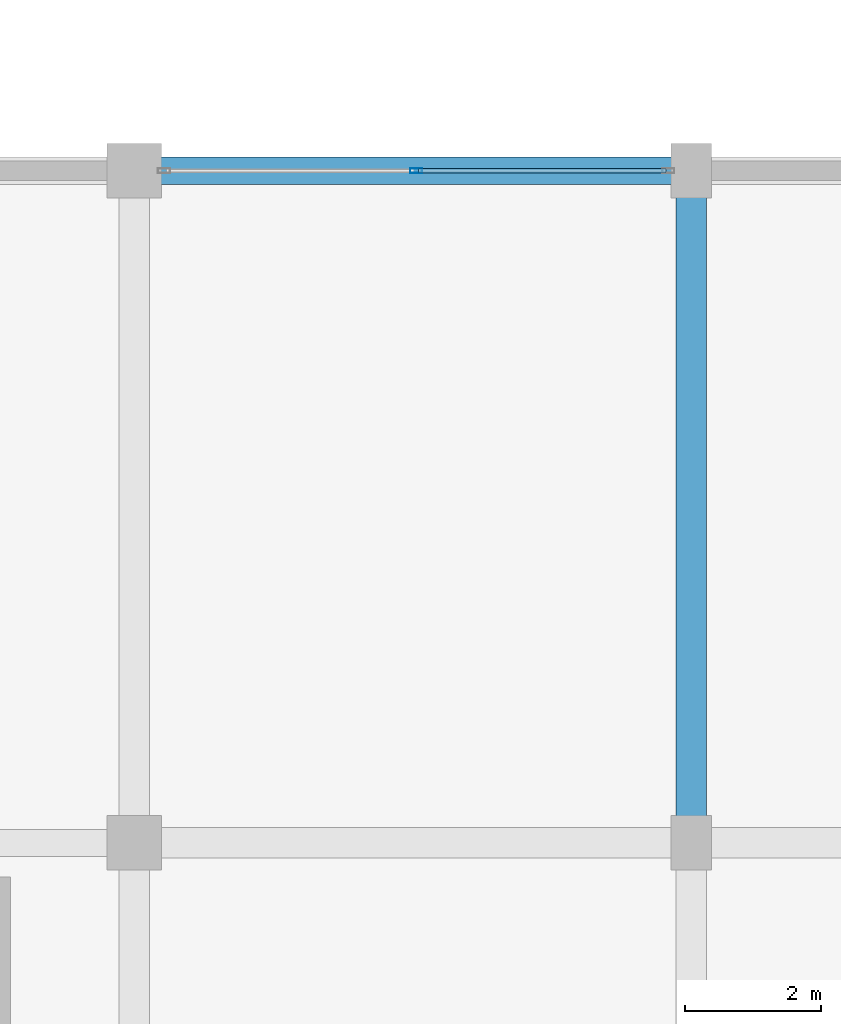
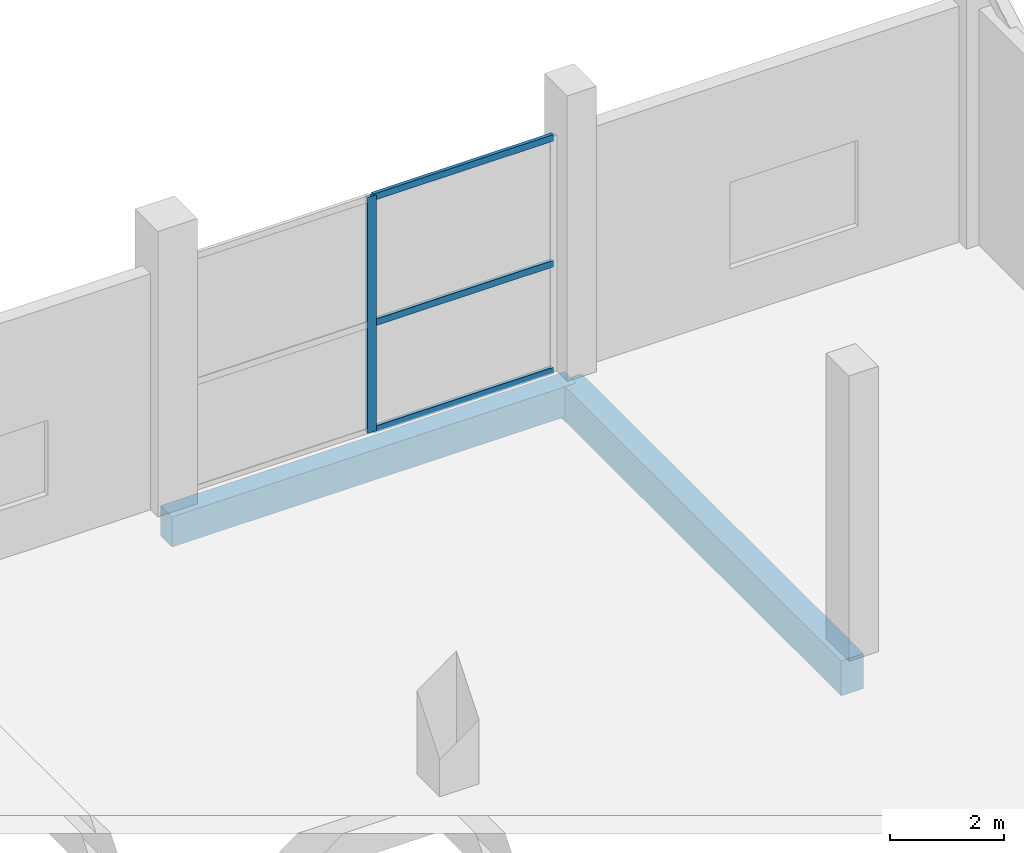
# One storey, part 33 of 58: 4 members, 2 beams, 1 element without a shape of its own.
"""IFC4 building model written with IfcOpenShell, lengths in metres."""

import ifcopenshell
import ifcopenshell.guid

model = None  # the IFC model being written
_history = None  # IfcOwnerHistory: only IFC2X3 demands one
_inside = {}  # id of a spatial element -> (the spatial element, [elements in it])
_under = {}  # id of a project, library or spatial element -> (it, [spatial elements below it])
_declared = {}  # id of a project -> (the project, [libraries it declares])
_typed = {}  # id of a type object -> (the type object, [elements of that type])
_made_of = {}  # id of a material, layer set ... -> (it, [elements and type objects made of it])


def new_model(schema):
    """Start an empty IFC model of exactly this schema.

    Asked for "IFC4X3", IfcOpenShell would pick the latest addendum, in which some entities
    have other attributes; the version numbers below select the first issue.
    IFC2X3 requires an IfcOwnerHistory on every rooted entity: one is made here for all.
    """
    global model, _history
    if schema == "IFC4X3":
        model = ifcopenshell.file(schema_version=(4, 3, 0, 0))
    else:
        model = ifcopenshell.file(schema=schema)
    _inside.clear()
    _under.clear()
    _declared.clear()
    _typed.clear()
    _made_of.clear()
    _history = None
    if model.schema == "IFC2X3":
        org = make("IfcOrganization", Name="unknown")
        user = make(
            "IfcPersonAndOrganization",
            ThePerson=make("IfcPerson", FamilyName="unknown"),
            TheOrganization=org,
        )
        app = make(
            "IfcApplication",
            ApplicationDeveloper=org,
            Version="unknown",
            ApplicationFullName="unknown",
            ApplicationIdentifier="unknown",
        )
        _history = make(
            "IfcOwnerHistory",
            OwningUser=user,
            OwningApplication=app,
            ChangeAction="ADDED",
            CreationDate=0,
        )
    return model


def make(cls, **values):
    """One entity of the class cls with the attributes given. An attribute that is None is left unset."""
    return model.create_entity(
        cls, **{name: value for name, value in values.items() if value is not None}
    )


def rooted(cls, **values):
    """An entity with a GlobalId (a new one), such as an element, a storey or a relation."""
    return make(cls, GlobalId=ifcopenshell.guid.new(), OwnerHistory=_history, **values)


def si_unit(unit_type, name, prefix=None):
    """IfcSIUnit, for example si_unit("LENGTHUNIT", "METRE", prefix="MILLI")."""
    return make("IfcSIUnit", UnitType=unit_type, Prefix=prefix, Name=name)


def assignment(units):
    """IfcUnitAssignment: the units of a project."""
    return None if units is None else make("IfcUnitAssignment", Units=units)


def point(xyz):
    """IfcCartesianPoint."""
    return None if xyz is None else make("IfcCartesianPoint", Coordinates=xyz)


def direction(xyz):
    """IfcDirection."""
    return None if xyz is None else make("IfcDirection", DirectionRatios=xyz)


def frame(location, z_axis=None, x_axis=None):
    """IfcAxis2Placement3D, a coordinate frame: its origin and axes. An axis left out is left unset."""
    return make(
        "IfcAxis2Placement3D",
        Location=point(location),
        Axis=direction(z_axis),
        RefDirection=direction(x_axis),
    )


def frame_2d(location, x_axis=None):
    """IfcAxis2Placement2D, a coordinate frame in the plane: its origin and x axis."""
    return make(
        "IfcAxis2Placement2D", Location=point(location), RefDirection=direction(x_axis)
    )


def origin():
    """The frame at (0, 0, 0) with its axes left unset."""
    return frame((0.0, 0.0, 0.0))


def origin_2d():
    """The frame at (0, 0) in the plane with its x axis left unset."""
    return frame_2d((0.0, 0.0))


def place(relative_to, where):
    """IfcLocalPlacement: puts the frame where relative to a parent placement (None: the world)."""
    return make(
        "IfcLocalPlacement", PlacementRelTo=relative_to, RelativePlacement=where
    )


def context(
    kind, dimensions, precision=None, world=None, true_north=None, identifier=None
):
    """IfcGeometricRepresentationContext, for example the 3D "Model" context."""
    return make(
        "IfcGeometricRepresentationContext",
        ContextIdentifier=identifier,
        ContextType=kind,
        CoordinateSpaceDimension=dimensions,
        Precision=precision,
        WorldCoordinateSystem=world,
        TrueNorth=true_north,
    )


def subcontext(parent, identifier, kind, view, scale=None):
    """IfcGeometricRepresentationSubContext, for example "Body" below "Model"."""
    return make(
        "IfcGeometricRepresentationSubContext",
        ContextIdentifier=identifier,
        ContextType=kind,
        ParentContext=parent,
        TargetScale=scale,
        TargetView=view,
    )


def project(units=None, contexts=None):
    """IfcProject with its units and contexts."""
    return rooted(
        "IfcProject",
        Name="project",
        RepresentationContexts=contexts,
        UnitsInContext=assignment(units),
    )


def spatial(cls, under=None, at=None, **own):
    """A site, building, storey or space (cls), placed at a placement, below another one or the project."""
    s = rooted(cls, ObjectPlacement=at, **own)
    if under is not None:
        _under.setdefault(under.id(), (under, []))[1].append(s)
    return s


def profile(cls, at=None, kind="AREA", **sizes):
    """A parametric profile (cls). Its sizes go by their IFC names, for example OverallWidth=200.0."""
    return make(cls, ProfileType=kind, Position=at, **sizes)


def rectangle(**sizes):
    """IfcRectangleProfileDef."""
    return profile("IfcRectangleProfileDef", **sizes)


def hollow_rectangle(**sizes):
    """IfcRectangleHollowProfileDef."""
    return profile("IfcRectangleHollowProfileDef", **sizes)


def extrude(swept, where, along, depth):
    """IfcExtrudedAreaSolid: the profile swept, set in the frame where, extruded along a direction by depth."""
    return make(
        "IfcExtrudedAreaSolid",
        SweptArea=swept,
        Position=where,
        ExtrudedDirection=direction(along),
        Depth=depth,
    )


def shape(context_of_items, identifier, shape_type, items):
    """IfcShapeRepresentation: the items that make up one representation, for example the "Body"."""
    return make(
        "IfcShapeRepresentation",
        ContextOfItems=context_of_items,
        RepresentationIdentifier=identifier,
        RepresentationType=shape_type,
        Items=items,
    )


def material(Name=None, Category=None):
    """IfcMaterial."""
    return make("IfcMaterial", Name=Name, Category=Category)


def layer(
    of_material, thickness, ventilated=None, Name=None, Category=None, Priority=None
):
    """IfcMaterialLayer: one layer of a wall or slab, of a material (None: an air gap)."""
    return make(
        "IfcMaterialLayer",
        Material=of_material,
        LayerThickness=thickness,
        IsVentilated=ventilated,
        Name=Name,
        Category=Category,
        Priority=Priority,
    )


def layer_set(layers, Name=None):
    """IfcMaterialLayerSet."""
    return make("IfcMaterialLayerSet", MaterialLayers=layers, LayerSetName=Name)


def material_profile(
    of_material, cross_section, Name=None, Category=None, Priority=None
):
    """IfcMaterialProfile: a cross section and its material."""
    return make(
        "IfcMaterialProfile",
        Name=Name,
        Material=of_material,
        Profile=cross_section,
        Priority=Priority,
        Category=Category,
    )


def profile_set(profiles, Name=None, composite=None):
    """IfcMaterialProfileSet."""
    return make(
        "IfcMaterialProfileSet",
        Name=Name,
        MaterialProfiles=profiles,
        CompositeProfile=composite,
    )


def made_of(thing, what):
    """Note that an element or type object is made of a material, layer set ...; save() writes the relation."""
    if what is not None:
        _made_of.setdefault(what.id(), (what, []))[1].append(thing)
    return thing


def type_object(cls, material=None, **own):
    """A type object (cls), such as IfcWallType, which elements share."""
    return made_of(rooted(cls, **own), material)


def element(
    cls,
    number,
    at=None,
    inside=None,
    cuts=None,
    type_object=None,
    material=None,
    context=None,
    identifier="Body",
    shape_type=None,
    held_by="IfcProductDefinitionShape",
    body=None,
    shapes=None,
    **own,
):
    """One element of the class cls, such as IfcWall. Its Tag is "e" and its number.

    at: its placement. inside: the storey or other place that contains it. cuts: it is an
    opening in that element (IfcRelVoidsElement). A single representation is given by context,
    identifier, shape_type and body (its items); several are given by shapes. held_by: the class
    of the entity that holds the representations. save() writes the other relations.
    """
    e = rooted(cls, Tag="e%d" % number, ObjectPlacement=at, **own)
    if body is not None:
        shapes = [shape(context, identifier, shape_type, body)]
    if shapes is not None:
        e.Representation = make(held_by, Representations=shapes)
    if inside is not None:
        _inside.setdefault(inside.id(), (inside, []))[1].append(e)
    if cuts is not None:
        rooted(
            "IfcRelVoidsElement", RelatingBuildingElement=cuts, RelatedOpeningElement=e
        )
    if type_object is not None:
        _typed.setdefault(type_object.id(), (type_object, []))[1].append(e)
    return made_of(e, material)


def aggregate(whole, parts):
    """IfcRelAggregates: a whole, such as a stair, and the parts it consists of."""
    return rooted("IfcRelAggregates", RelatingObject=whole, RelatedObjects=parts)


def save(model, path):
    """Write the relations noted so far, then the file.

    IfcRelAggregates (storeys below a building ...), IfcRelContainedInSpatialStructure (elements
    in a storey), IfcRelDefinesByType, IfcRelAssociatesMaterial and IfcRelDeclares: one each for
    every whole, place, type object, material and project.
    """
    for whole, parts in _under.values():
        aggregate(whole, parts)
    for where, things in _inside.values():
        rooted(
            "IfcRelContainedInSpatialStructure",
            RelatedElements=things,
            RelatingStructure=where,
        )
    for kind, things in _typed.values():
        rooted("IfcRelDefinesByType", RelatedObjects=things, RelatingType=kind)
    for what, things in _made_of.values():
        rooted("IfcRelAssociatesMaterial", RelatedObjects=things, RelatingMaterial=what)
    for by, libraries in _declared.values():
        rooted("IfcRelDeclares", RelatingContext=by, RelatedDefinitions=libraries)
    model.write(path)


model = new_model("IFC4")

# Units and contexts
model_context = context("Model", 3, precision=1e-05, world=origin(), true_north=direction((0.0, 1.0)))
body_context = subcontext(model_context, "Body", "Model", "MODEL_VIEW")
ifc_project = project(units=[si_unit("LENGTHUNIT", "METRE"), si_unit("AREAUNIT", "SQUARE_METRE"), si_unit("VOLUMEUNIT", "CUBIC_METRE"), si_unit("PLANEANGLEUNIT", "RADIAN"), si_unit("MASSUNIT", "GRAM", prefix="KILO")], contexts=[model_context])

# Site, building, storey
site_placement = place(None, origin())
site = spatial("IfcSite", under=ifc_project, at=site_placement, CompositionType="ELEMENT")
building_placement = place(site_placement, origin())
building = spatial("IfcBuilding", under=site, at=building_placement, Name="Sillaruma Civic Art Gallery", CompositionType="ELEMENT")
storey_placement = place(building_placement, frame((0.0, 0.0, 22.43994140625)))
storey = spatial("IfcBuildingStorey", under=building, at=storey_placement, Name="L04", CompositionType="ELEMENT", Elevation=22.43994140625)

# Beams
ifc_material_1 = material(Name="Concrete H40 (40 MPa)", Category="concrete")
ifc_material_profile_1 = material_profile(ifc_material_1, rectangle(XDim=0.449951171875, YDim=0.75, at=origin_2d()), Name="RCB450x750")
ifc_profile_set_1 = profile_set([ifc_material_profile_1], Name="Concrete H40 (40 MPa)")
beam_type_1 = type_object("IfcBeamType", Name="BM-BEAM-RCB450x750", PredefinedType="BEAM", material=ifc_profile_set_1)
beam_1_placement = place(storey_placement, frame((106.199951171875, 89.10009765625, -0.635009765625), z_axis=(0.0, 1.0, 0.0), x_axis=(-1.0, 0.0, 0.0)))
element("IfcBeam", 1, at=beam_1_placement, inside=storey, type_object=beam_type_1, Name="Beam BM-03 (L03:M:10-11)", PredefinedType="BEAM", context=body_context, shape_type="SweptSolid", body=[
    extrude(rectangle(XDim=0.449951171875, YDim=0.75, at=origin_2d()), origin(), (0.0, 0.0, 1.0), 9.89990234375),
])
ifc_material_2 = material(Name="Concrete H35 (35 MPa)", Category="concrete")
ifc_material_profile_2 = material_profile(ifc_material_2, rectangle(XDim=0.39990234375, YDim=0.64990234375, at=origin_2d()), Name="RCB400x650")
ifc_profile_set_2 = profile_set([ifc_material_profile_2], Name="Concrete H35 (35 MPa)")
beam_type_2 = type_object("IfcBeamType", Name="BM-SPANDREL-RCB400x650", PredefinedType="SPANDREL", material=ifc_profile_set_2)
beam_2_placement = place(storey_placement, frame((98.0, 99.0, -0.5849609375), z_axis=(1.0, 0.0, 0.0), x_axis=(0.0, 1.0, 0.0)))
element("IfcBeam", 2, at=beam_2_placement, inside=storey, type_object=beam_type_2, Name="Beam BS-02 (L03:11:L-M)", PredefinedType="SPANDREL", context=body_context, shape_type="SweptSolid", body=[
    extrude(rectangle(XDim=0.39990234375, YDim=0.64990234375, at=origin_2d()), origin(), (0.0, 0.0, 1.0), 8.199951171875),
])

# Curtain wall, members
ifc_material_3 = material(Name="Thermally Broken Extruded Aluminium 6063-T6", Category="aluminium")
ifc_layer = layer(ifc_material_3, 0.179931640625, Name="Thermally Broken Extruded Aluminium 6063-T6")
ifc_layer_set = layer_set([ifc_layer], Name="Thermally Broken Extruded Aluminium 6063-T6")
curtain_wall_type = type_object("IfcCurtainWallType", Name="CW-UNI-27", PredefinedType="NOTDEFINED", material=ifc_layer_set)
curtain_wall_placement = place(storey_placement, origin())
curtain_wall = element("IfcCurtainWall", 3, at=curtain_wall_placement, inside=storey, type_object=curtain_wall_type, Name="Unitised Curtain Wall CW-27 (CW-L04-N-6)", PredefinedType="NOTDEFINED")
ifc_material_profile_3 = material_profile(ifc_material_3, hollow_rectangle(XDim=0.070068359375, YDim=0.179931640625, WallThickness=0.00390625, at=origin_2d()), Name="CWM70x180")
ifc_profile_set_3 = profile_set([ifc_material_profile_3], Name="Thermally Broken Extruded Aluminium 6063-T6")
member_type_1 = type_object("IfcMemberType", Name="MEM-MUL-CWM70x180", PredefinedType="MULLION", material=ifc_profile_set_3)
member_1_placement = place(storey_placement, frame((102.14990234375, 99.0, 0.0), z_axis=(0.0, 0.0, 1.0), x_axis=(0.0, 1.0, 0.0)))
member_1 = element("IfcMember", 4, at=member_1_placement, type_object=member_type_1, Name="CW-27 mullion 2", PredefinedType="MULLION", context=body_context, shape_type="SweptSolid", body=[
    extrude(hollow_rectangle(XDim=0.070068359375, YDim=0.179931640625, WallThickness=0.00390625, at=origin_2d()), origin(), (0.0, 0.0, 1.0), 5.06005859375),
])
ifc_material_profile_4 = material_profile(ifc_material_3, hollow_rectangle(XDim=0.070068359375, YDim=0.139892578125, WallThickness=0.00390625, at=origin_2d()), Name="CWT70x140")
ifc_profile_set_4 = profile_set([ifc_material_profile_4], Name="Thermally Broken Extruded Aluminium 6063-T6")
member_type_2 = type_object("IfcMemberType", Name="MEM-TRN-CWT70x140", PredefinedType="USERDEFINED", material=ifc_profile_set_4)
member_2_placement = place(storey_placement, frame((102.18505859375, 99.0, 0.03515625), z_axis=(1.0, 0.0, 0.0), x_axis=(0.0, 1.0, 0.0)))
member_2 = element("IfcMember", 5, at=member_2_placement, type_object=member_type_2, Name="CW-27 transom 2.1", ObjectType="TRANSOM", PredefinedType="USERDEFINED", context=body_context, shape_type="SweptSolid", body=[
    extrude(hollow_rectangle(XDim=0.070068359375, YDim=0.139892578125, WallThickness=0.00390625, at=origin_2d()), origin(), (0.0, 0.0, 1.0), 3.64501953125),
])
member_3_placement = place(storey_placement, frame((102.18505859375, 99.0, 2.32763671875), z_axis=(1.0, 0.0, 0.0), x_axis=(0.0, 1.0, 0.0)))
member_3 = element("IfcMember", 6, at=member_3_placement, type_object=member_type_2, Name="CW-27 transom 2.2", ObjectType="TRANSOM", PredefinedType="USERDEFINED", context=body_context, shape_type="SweptSolid", body=[
    extrude(hollow_rectangle(XDim=0.070068359375, YDim=0.139892578125, WallThickness=0.00390625, at=origin_2d()), origin(), (0.0, 0.0, 1.0), 3.64501953125),
])
member_4_placement = place(storey_placement, frame((102.18505859375, 99.0, 5.025146484375), z_axis=(1.0, 0.0, 0.0), x_axis=(0.0, 1.0, 0.0)))
member_4 = element("IfcMember", 7, at=member_4_placement, type_object=member_type_2, Name="CW-27 transom 2.3", ObjectType="TRANSOM", PredefinedType="USERDEFINED", context=body_context, shape_type="SweptSolid", body=[
    extrude(hollow_rectangle(XDim=0.070068359375, YDim=0.139892578125, WallThickness=0.00390625, at=origin_2d()), origin(), (0.0, 0.0, 1.0), 3.64501953125),
])
aggregate(curtain_wall, [member_1, member_2, member_3, member_4])

save(model, "model.ifc")
